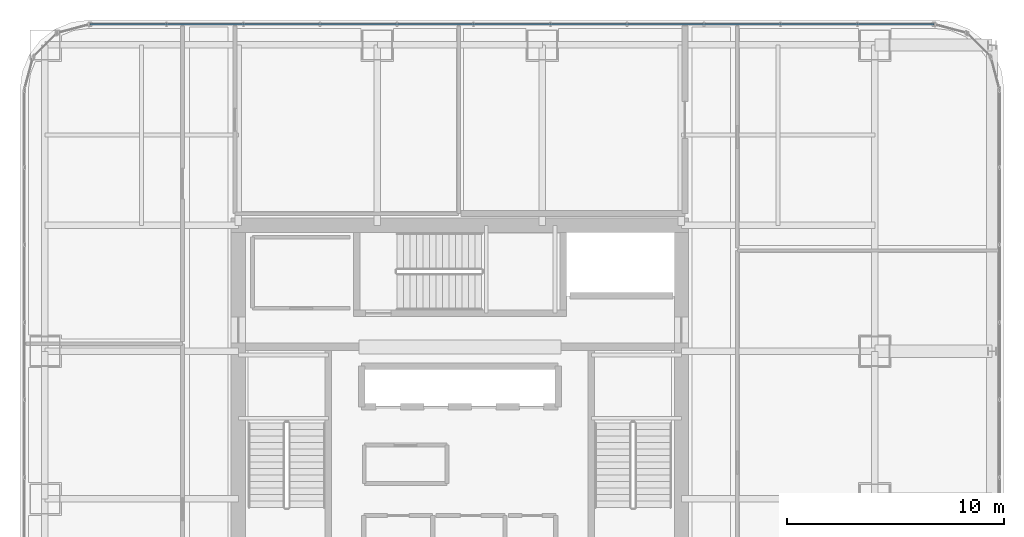
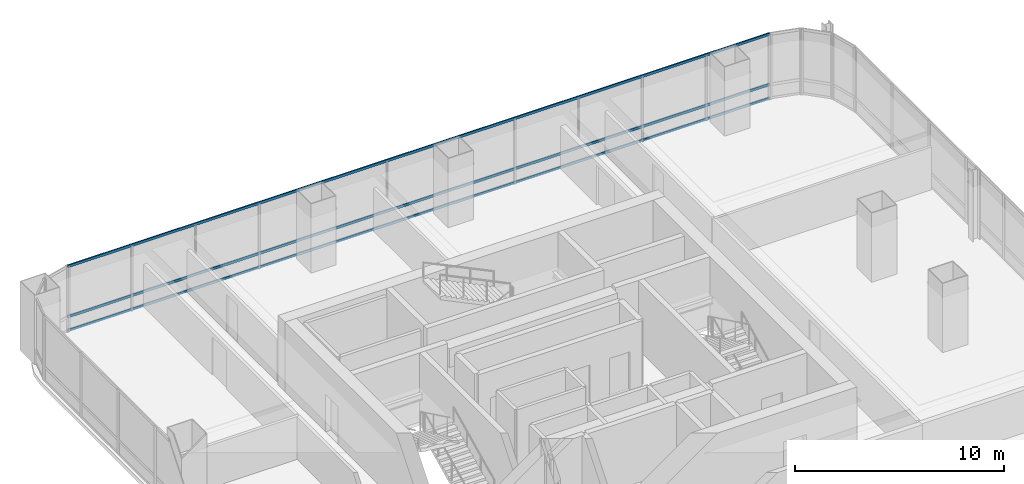
# One storey, part 23 of 35: 3 members, 1 element without a shape of its own.
"""IFC4 building model written with IfcOpenShell, lengths in metres."""

from ifc_helpers import new_model, si_unit, direction, frame, origin, origin_2d, place, context, subcontext, project, spatial, hollow_rectangle, extrude, material, material_profile, profile_set, type_object, element, aggregate, save


model = new_model("IFC4")

# Units and contexts
model_context = context("Model", 3, precision=1e-05, world=origin(), true_north=direction((0.0, 1.0)))
body_context = subcontext(model_context, "Body", "Model", "MODEL_VIEW")
ifc_project = project(units=[si_unit("LENGTHUNIT", "METRE"), si_unit("AREAUNIT", "SQUARE_METRE"), si_unit("VOLUMEUNIT", "CUBIC_METRE"), si_unit("PLANEANGLEUNIT", "RADIAN"), si_unit("MASSUNIT", "GRAM", prefix="KILO")], contexts=[model_context])

# Site, building, storey
site_placement = place(None, origin())
site = spatial("IfcSite", under=ifc_project, at=site_placement, CompositionType="ELEMENT")
building_placement = place(site_placement, origin())
building = spatial("IfcBuilding", under=site, at=building_placement, Name="Punatoya Terracotta Tower", CompositionType="ELEMENT")
storey_placement = place(building_placement, frame((0.0, 0.0, 216.75)))
storey = spatial("IfcBuildingStorey", under=building, at=storey_placement, Name="L51", CompositionType="ELEMENT", Elevation=216.75)

# Curtain wall, members
ifc_material_1 = material(Name="Aluminium 6063-T6 + Double Low-E Glass", Category="aluminium")
curtain_wall_type = type_object("IfcCurtainWallType", Name="CW-M2", PredefinedType="NOTDEFINED", material=ifc_material_1)
curtain_wall_placement = place(storey_placement, origin())
curtain_wall = element("IfcCurtainWall", 1, at=curtain_wall_placement, inside=storey, type_object=curtain_wall_type, Name="L51 Curtain Wall CW-L51-N09-1", PredefinedType="NOTDEFINED")
ifc_material_2 = material(Name="Aluminium 6063-T6", Category="aluminium")
ifc_material_profile = material_profile(ifc_material_2, hollow_rectangle(XDim=0.068115234375, YDim=0.14990234375, WallThickness=0.00390625, at=origin_2d()))
ifc_profile_set = profile_set([ifc_material_profile], Name="Aluminium 6063-T6")
member_type = type_object("IfcMemberType", Name="CW-TRN-TYP", PredefinedType="USERDEFINED", material=ifc_profile_set)
member_1_placement = place(storey_placement, frame((21.8369140625, 18.449951171875, 0.0400390625), z_axis=(-1.0, 0.0, 0.0), x_axis=(0.0, -1.0, 0.0)))
member_1 = element("IfcMember", 2, at=member_1_placement, type_object=member_type, Name="CW-L51-N09-1 Transom 1", ObjectType="TRANSOM", PredefinedType="USERDEFINED", context=body_context, shape_type="SweptSolid", body=[
    extrude(hollow_rectangle(XDim=0.068115234375, YDim=0.14990234375, WallThickness=0.00390625, at=origin_2d()), origin(), (0.0, 0.0, 1.0), 38.873779296875),
])
member_2_placement = place(storey_placement, frame((21.8369140625, 18.449951171875, 0.85009765625), z_axis=(-1.0, 0.0, 0.0), x_axis=(0.0, -1.0, 0.0)))
member_2 = element("IfcMember", 3, at=member_2_placement, type_object=member_type, Name="CW-L51-N09-1 Transom 2", ObjectType="TRANSOM", PredefinedType="USERDEFINED", context=body_context, shape_type="SweptSolid", body=[
    extrude(hollow_rectangle(XDim=0.068115234375, YDim=0.14990234375, WallThickness=0.00390625, at=origin_2d()), origin(), (0.0, 0.0, 1.0), 38.873779296875),
])
member_3_placement = place(storey_placement, frame((21.8369140625, 18.449951171875, 3.7900390625), z_axis=(-1.0, 0.0, 0.0), x_axis=(0.0, -1.0, 0.0)))
member_3 = element("IfcMember", 4, at=member_3_placement, type_object=member_type, Name="CW-L51-N09-1 Transom 3", ObjectType="TRANSOM", PredefinedType="USERDEFINED", context=body_context, shape_type="SweptSolid", body=[
    extrude(hollow_rectangle(XDim=0.068115234375, YDim=0.14990234375, WallThickness=0.00390625, at=origin_2d()), origin(), (0.0, 0.0, 1.0), 38.873779296875),
])
aggregate(curtain_wall, [member_1, member_2, member_3])

save(model, "model.ifc")
